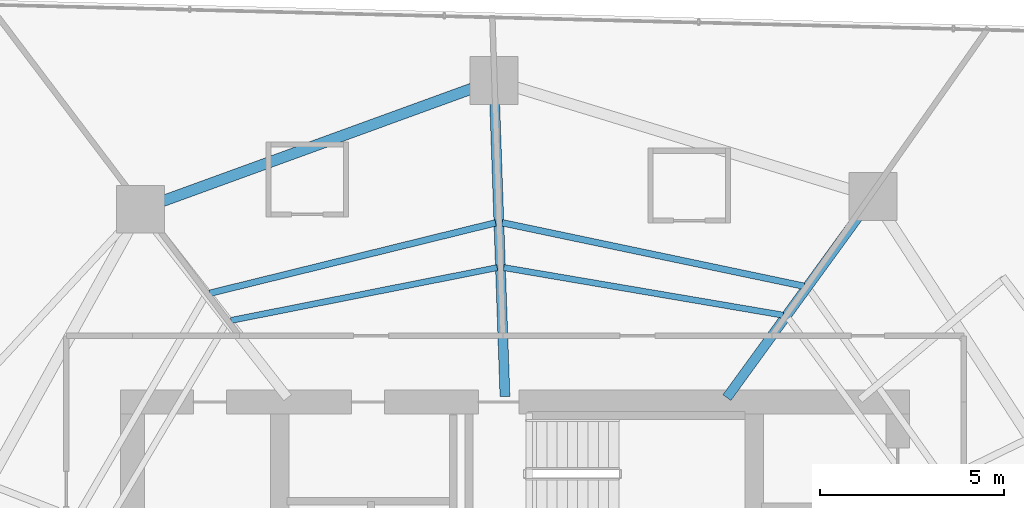
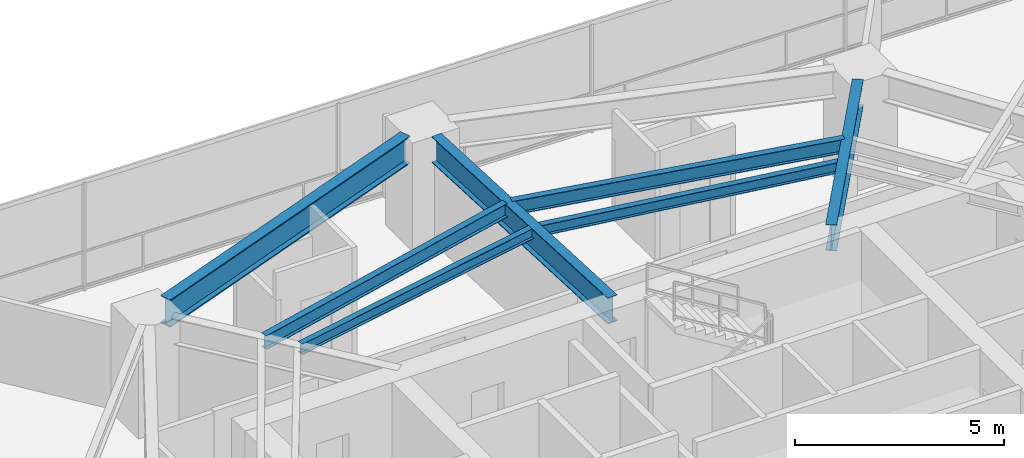
# One storey, part 17 of 30: 7 beams.
"""IFC4 building model written with IfcOpenShell, lengths in metres."""

from ifc_helpers import new_model, si_unit, direction, frame, origin, origin_2d, place, context, subcontext, project, spatial, i_section, extrude, material, material_profile, profile_set, type_object, element, save


model = new_model("IFC4")

# Units and contexts
model_context = context("Model", 3, precision=1e-05, world=origin(), true_north=direction((0.0, 1.0)))
body_context = subcontext(model_context, "Body", "Model", "MODEL_VIEW")
ifc_project = project(units=[si_unit("LENGTHUNIT", "METRE"), si_unit("AREAUNIT", "SQUARE_METRE"), si_unit("VOLUMEUNIT", "CUBIC_METRE"), si_unit("PLANEANGLEUNIT", "RADIAN"), si_unit("MASSUNIT", "GRAM", prefix="KILO")], contexts=[model_context])

# Site, building, storey
site_placement = place(None, origin())
site = spatial("IfcSite", under=ifc_project, at=site_placement, CompositionType="ELEMENT")
building_placement = place(site_placement, origin())
building = spatial("IfcBuilding", under=site, at=building_placement, Name="Qarnah Convention Tower", CompositionType="ELEMENT")
storey_placement = place(building_placement, frame((0.0, 0.0, 61.5)))
storey = spatial("IfcBuildingStorey", under=building, at=storey_placement, Name="L15", CompositionType="ELEMENT", Elevation=61.5)

# Beams
ifc_material = material(Name="Structural steel S355JR", Category="steel")
ifc_material_profile_1 = material_profile(ifc_material, i_section(OverallWidth=0.166015625, OverallDepth=0.31201171875, WebThickness=0.007080078125, FlangeThickness=0.010986328125, at=origin_2d()), Name="W310X45")
ifc_profile_set_1 = profile_set([ifc_material_profile_1], Name="Structural steel S355JR")
beam_type_1 = type_object("IfcBeamType", Name="BM-JST-W310", PredefinedType="JOIST", material=ifc_profile_set_1)
beam_1_placement = place(storey_placement, frame((44.48388671875, 36.56201171875, 3.013916015625), z_axis=(-0.985799304286, 0.167927757295, 0.0), x_axis=(-0.167927757295, -0.985799304286, 0.0)))
element("IfcBeam", 1, at=beam_1_placement, inside=storey, type_object=beam_type_1, Name="L15 joist BM-L15-IJST-02", PredefinedType="JOIST", context=body_context, shape_type="SweptSolid", body=[
    extrude(i_section(OverallWidth=0.166015625, OverallDepth=0.31201171875, WebThickness=0.007080078125, FlangeThickness=0.010986328125, at=origin_2d()), origin(), (0.0, 0.0, 1.0), 7.705322265625),
])
beam_2_placement = place(storey_placement, frame((36.7109375, 37.85400390625, 3.013916015625), z_axis=(-0.980900097956, -0.194512204837, 0.0), x_axis=(0.194512204837, -0.980900097956, 0.0)))
element("IfcBeam", 2, at=beam_2_placement, inside=storey, type_object=beam_type_1, Name="L15 joist BM-L15-IJST-03", PredefinedType="JOIST", context=body_context, shape_type="SweptSolid", body=[
    extrude(i_section(OverallWidth=0.166015625, OverallDepth=0.31201171875, WebThickness=0.007080078125, FlangeThickness=0.010986328125, at=origin_2d()), origin(), (0.0, 0.0, 1.0), 7.377685546875),
])
ifc_material_profile_2 = material_profile(ifc_material, i_section(OverallWidth=0.177978515625, OverallDepth=0.407958984375, WebThickness=0.008056640625, FlangeThickness=0.012939453125, at=origin_2d()), Name="W410X60")
ifc_profile_set_2 = profile_set([ifc_material_profile_2], Name="Structural steel S355JR")
beam_type_2 = type_object("IfcBeamType", Name="BM-JST-W410", PredefinedType="JOIST", material=ifc_profile_set_2)
beam_3_placement = place(storey_placement, frame((45.052978515625, 37.34912109375, 2.966064453125), z_axis=(-0.978606875393, 0.205739114982, 0.0), x_axis=(-0.205739114982, -0.978606875393, 0.0)))
element("IfcBeam", 3, at=beam_3_placement, inside=storey, type_object=beam_type_2, Name="L15 joist BM-L15-SJST-02", PredefinedType="JOIST", context=body_context, shape_type="SweptSolid", body=[
    extrude(i_section(OverallWidth=0.177978515625, OverallDepth=0.407958984375, WebThickness=0.008056640625, FlangeThickness=0.012939453125, at=origin_2d()), origin(), (0.0, 0.0, 1.0), 8.388427734375),
])
beam_4_placement = place(storey_placement, frame((36.6689453125, 39.072021484375, 2.966064453125), z_axis=(-0.970966049721, -0.239217328572, 0.0), x_axis=(0.239217328572, -0.970966049721, 0.0)))
element("IfcBeam", 4, at=beam_4_placement, inside=storey, type_object=beam_type_2, Name="L15 joist BM-L15-SJST-03", PredefinedType="JOIST", context=body_context, shape_type="SweptSolid", body=[
    extrude(i_section(OverallWidth=0.177978515625, OverallDepth=0.407958984375, WebThickness=0.008056640625, FlangeThickness=0.012939453125, at=origin_2d()), origin(), (0.0, 0.0, 1.0), 8.00146484375),
])
ifc_material_profile_3 = material_profile(ifc_material, i_section(OverallWidth=0.26806640625, OverallDepth=0.760009765625, WebThickness=0.014892578125, FlangeThickness=0.02197265625, at=origin_2d()), Name="W760X185")
ifc_profile_set_3 = profile_set([ifc_material_profile_3], Name="Structural steel S355JR")
beam_type_3 = type_object("IfcBeamType", Name="BM-RAD-W760", PredefinedType="BEAM", material=ifc_profile_set_3)
beam_5_placement = place(storey_placement, frame((42.955078125, 34.321044921875, 2.7900390625), z_axis=(0.587873224058, 0.808953071837, 0.0), x_axis=(-0.808953071837, 0.587873224058, 0.0)))
element("IfcBeam", 5, at=beam_5_placement, inside=storey, type_object=beam_type_3, Name="L15 beam BM-L15-RAD-02", PredefinedType="BEAM", context=body_context, shape_type="SweptSolid", body=[
    extrude(i_section(OverallWidth=0.26806640625, OverallDepth=0.760009765625, WebThickness=0.014892578125, FlangeThickness=0.02197265625, at=origin_2d()), origin(), (0.0, 0.0, 1.0), 6.12890625),
])
beam_6_placement = place(storey_placement, frame((36.922119140625, 34.35009765625, 2.7900390625), z_axis=(-0.034913066254, 0.999390353068, 0.0), x_axis=(-0.999390353068, -0.034913066254, 0.0)))
element("IfcBeam", 6, at=beam_6_placement, inside=storey, type_object=beam_type_3, Name="L15 beam BM-L15-RAD-03", PredefinedType="BEAM", context=body_context, shape_type="SweptSolid", body=[
    extrude(i_section(OverallWidth=0.26806640625, OverallDepth=0.760009765625, WebThickness=0.014892578125, FlangeThickness=0.02197265625, at=origin_2d()), origin(), (0.0, 0.0, 1.0), 7.96484375),
])
ifc_material_profile_4 = material_profile(ifc_material, i_section(OverallWidth=0.300048828125, OverallDepth=0.800048828125, WebThickness=0.01806640625, FlangeThickness=0.032958984375, at=origin_2d()), Name="HEB800")
ifc_profile_set_4 = profile_set([ifc_material_profile_4], Name="Structural steel S355JR")
beam_type_4 = type_object("IfcBeamType", Name="BM-RING-HEB800", PredefinedType="BEAM", material=ifc_profile_set_4)
beam_7_placement = place(storey_placement, frame((36.02099609375, 42.720947265625, 2.77001953125), z_axis=(-0.939712145037, -0.341966496121, 0.0), x_axis=(0.341966496121, -0.939712145037, 0.0)))
element("IfcBeam", 7, at=beam_7_placement, inside=storey, type_object=beam_type_4, Name="L15 beam BM-L15-SPN-03", PredefinedType="BEAM", context=body_context, shape_type="SweptSolid", body=[
    extrude(i_section(OverallWidth=0.300048828125, OverallDepth=0.800048828125, WebThickness=0.01806640625, FlangeThickness=0.032958984375, at=origin_2d()), origin(), (0.0, 0.0, 1.0), 8.948486328125),
])

save(model, "model.ifc")
